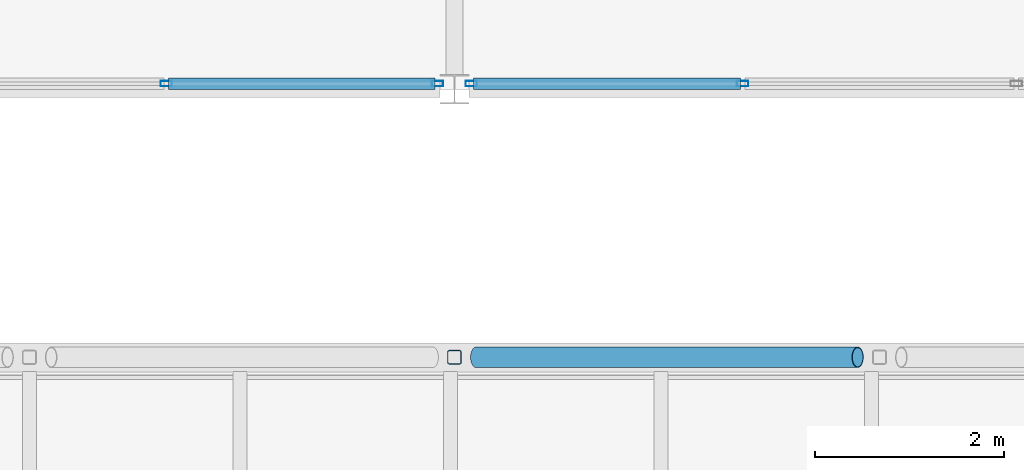
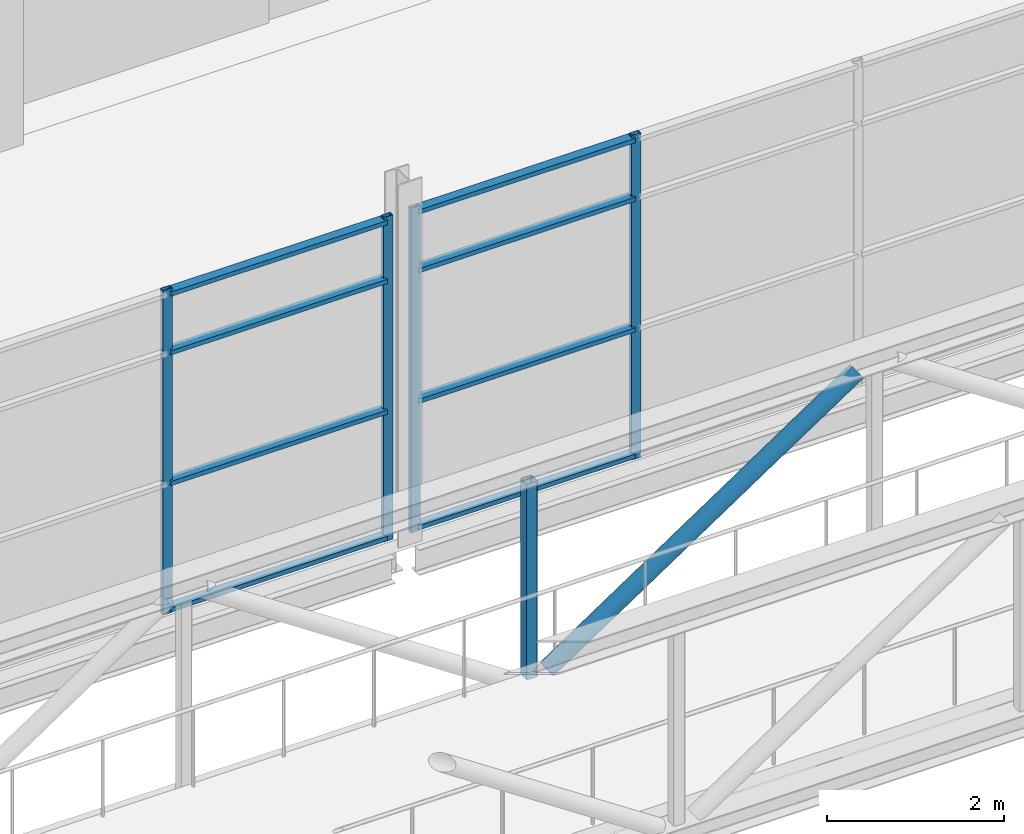
# One storey, part 45 of 94: 14 members, 2 elements without a shape of their own.
"""IFC4 building model written with IfcOpenShell, lengths in metres."""

from ifc_helpers import new_model, si_unit, direction, frame, origin, origin_2d, place, context, subcontext, project, spatial, hollow_rectangle, hollow_circle, extrude, material, layer, layer_set, material_profile, profile_set, type_object, element, aggregate, save


model = new_model("IFC4")

# Units and contexts
model_context = context("Model", 3, precision=1e-05, world=origin(), true_north=direction((0.0, 1.0)))
body_context = subcontext(model_context, "Body", "Model", "MODEL_VIEW")
ifc_project = project(units=[si_unit("LENGTHUNIT", "METRE"), si_unit("AREAUNIT", "SQUARE_METRE"), si_unit("VOLUMEUNIT", "CUBIC_METRE"), si_unit("PLANEANGLEUNIT", "RADIAN"), si_unit("MASSUNIT", "GRAM", prefix="KILO")], contexts=[model_context])

# Site, building, storey
site_placement = place(None, origin())
site = spatial("IfcSite", under=ifc_project, at=site_placement, CompositionType="ELEMENT")
building_placement = place(site_placement, origin())
building = spatial("IfcBuilding", under=site, at=building_placement, Name="Shorebreak Coast Museum", CompositionType="ELEMENT")
storey_placement = place(building_placement, frame((0.0, 0.0, 31.0)))
storey = spatial("IfcBuildingStorey", under=building, at=storey_placement, Name="L05", CompositionType="ELEMENT", Elevation=31.0)

# Members
ifc_material_1 = material(Name="Steel Grade C350L0", Category="steel")
ifc_material_profile_1 = material_profile(ifc_material_1, hollow_circle(Radius=0.109619140625, WallThickness=0.00830078125, at=origin_2d()), Name="219.1x8.2 CHS")
ifc_profile_set_1 = profile_set([ifc_material_profile_1], Name="Steel Grade C350L0")
member_type_1 = type_object("IfcMemberType", Name="Atrium bridge truss diagonal 219.1x8.2 CHS", PredefinedType="BRACE", material=ifc_profile_set_1)
member_1_placement = place(storey_placement, frame((90.23095703125, 78.16259765625, -0.175048828125), z_axis=(0.832042555046, 0.0, 0.554711804987), x_axis=(0.0, 1.0, 0.0)))
element("IfcMember", 1, at=member_1_placement, inside=storey, type_object=member_type_1, Name="Atrium bridge truss BR3 side B diagonal D07", PredefinedType="BRACE", context=body_context, shape_type="SweptSolid", body=[
    extrude(hollow_circle(Radius=0.109619140625, WallThickness=0.00830078125, at=origin_2d()), origin(), (0.0, 0.0, 1.0), 4.853271484375),
])
ifc_material_2 = material(Name="Steel Grade C450L0", Category="steel")
ifc_material_profile_2 = material_profile(ifc_material_2, hollow_rectangle(XDim=0.14990234375, YDim=0.14990234375, WallThickness=0.009033203125, InnerFilletRadius=0.013427734375, OuterFilletRadius=0.0224609375, at=origin_2d()), Name="150x150x9.0 SHS")
ifc_profile_set_2 = profile_set([ifc_material_profile_2], Name="Steel Grade C450L0")
member_type_2 = type_object("IfcMemberType", Name="Atrium bridge truss strut 150x150x9.0 SHS", PredefinedType="STRUT", material=ifc_profile_set_2)
member_2_placement = place(storey_placement, frame((90.0, 78.16259765625, -0.175048828125), z_axis=(0.0, 0.0, 1.0), x_axis=(1.0, 0.0, 0.0)))
element("IfcMember", 2, at=member_2_placement, inside=storey, type_object=member_type_2, Name="Atrium bridge truss BR3 side B strut V07", PredefinedType="STRUT", context=body_context, shape_type="SweptSolid", body=[
    extrude(hollow_rectangle(XDim=0.14990234375, YDim=0.14990234375, WallThickness=0.009033203125, InnerFilletRadius=0.013427734375, OuterFilletRadius=0.0224609375, at=origin_2d()), origin(), (0.0, 0.0, 1.0), 2.692138671875),
])

# Curtain wall, members
ifc_material_3 = material(Name="Aluminium", Category="aluminium")
ifc_layer = layer(ifc_material_3, 0.1201171875)
ifc_layer_set = layer_set([ifc_layer], Name="Aluminium")
curtain_wall_type = type_object("IfcCurtainWallType", Name="Atrium fire screen", PredefinedType="NOTDEFINED", material=ifc_layer_set)
curtain_wall_1_placement = place(storey_placement, origin())
curtain_wall_1 = element("IfcCurtainWall", 3, at=curtain_wall_1_placement, inside=storey, type_object=curtain_wall_type, Name="Atrium screen L05 N 70", PredefinedType="NOTDEFINED")
ifc_material_4 = material(Name="Aluminium", Category="aluminium")
ifc_material_profile_3 = material_profile(ifc_material_4, hollow_rectangle(XDim=0.06005859375, YDim=0.1201171875, WallThickness=0.00341796875, at=origin_2d()), Name="AL 120x60 RHS")
ifc_profile_set_3 = profile_set([ifc_material_profile_3], Name="Aluminium")
member_type_3 = type_object("IfcMemberType", Name="Screen mullion 50 x 120", PredefinedType="MULLION", material=ifc_profile_set_3)
member_3_placement = place(storey_placement, frame((86.94873046875, 81.06005859375, 0.0), z_axis=(0.0, 0.0, 1.0), x_axis=(0.0, 1.0, 0.0)))
member_3 = element("IfcMember", 4, at=member_3_placement, type_object=member_type_3, Name="CW5 mullion 3", PredefinedType="MULLION", context=body_context, shape_type="SweptSolid", body=[
    extrude(hollow_rectangle(XDim=0.06005859375, YDim=0.1201171875, WallThickness=0.00341796875, at=origin_2d()), origin(), (0.0, 0.0, 1.0), 4.469482421875),
])
member_4_placement = place(storey_placement, frame((89.821533203125, 81.06005859375, 0.0), z_axis=(0.0, 0.0, 1.0), x_axis=(0.0, 1.0, 0.0)))
member_4 = element("IfcMember", 5, at=member_4_placement, type_object=member_type_3, Name="CW5 mullion 4", PredefinedType="MULLION", context=body_context, shape_type="SweptSolid", body=[
    extrude(hollow_rectangle(XDim=0.06005859375, YDim=0.1201171875, WallThickness=0.00341796875, at=origin_2d()), origin(), (0.0, 0.0, 1.0), 4.469482421875),
])

curtain_wall_2_placement = place(storey_placement, origin())
curtain_wall_2 = element("IfcCurtainWall", 6, at=curtain_wall_2_placement, inside=storey, type_object=curtain_wall_type, Name="Atrium screen L05 N 71", PredefinedType="NOTDEFINED")
member_5_placement = place(storey_placement, frame((90.178466796875, 81.06005859375, 0.0), z_axis=(0.0, 0.0, 1.0), x_axis=(0.0, 1.0, 0.0)))
member_5 = element("IfcMember", 7, at=member_5_placement, type_object=member_type_3, Name="CW6 mullion 1", PredefinedType="MULLION", context=body_context, shape_type="SweptSolid", body=[
    extrude(hollow_rectangle(XDim=0.06005859375, YDim=0.1201171875, WallThickness=0.00341796875, at=origin_2d()), origin(), (0.0, 0.0, 1.0), 4.469482421875),
])
member_6_placement = place(storey_placement, frame((93.05126953125, 81.06005859375, 0.0), z_axis=(0.0, 0.0, 1.0), x_axis=(0.0, 1.0, 0.0)))
member_6 = element("IfcMember", 8, at=member_6_placement, type_object=member_type_3, Name="CW6 mullion 2", PredefinedType="MULLION", context=body_context, shape_type="SweptSolid", body=[
    extrude(hollow_rectangle(XDim=0.06005859375, YDim=0.1201171875, WallThickness=0.00341796875, at=origin_2d()), origin(), (0.0, 0.0, 1.0), 4.469482421875),
])

# Member
ifc_material_5 = material(Name="Aluminium", Category="aluminium")
ifc_material_profile_4 = material_profile(ifc_material_5, hollow_rectangle(XDim=0.1201171875, YDim=0.06005859375, WallThickness=0.00341796875, at=origin_2d()), Name="AL 60x120 RHS")
ifc_profile_set_4 = profile_set([ifc_material_profile_4], Name="Aluminium")
member_type_4 = type_object("IfcMemberType", Name="Screen transom 120 x 50", PredefinedType="USERDEFINED", material=ifc_profile_set_4)
member_7_placement = place(storey_placement, frame((86.973876953125, 81.06005859375, 0.06005859375), z_axis=(1.0, 0.0, 0.0), x_axis=(0.0, 1.0, 0.0)))
member_7 = element("IfcMember", 9, at=member_7_placement, type_object=member_type_4, Name="CW5 transom 3.1", ObjectType="TRANSOM", PredefinedType="USERDEFINED", context=body_context, shape_type="SweptSolid", body=[
    extrude(hollow_rectangle(XDim=0.1201171875, YDim=0.06005859375, WallThickness=0.00341796875, at=origin_2d()), origin(), (0.0, 0.0, 1.0), 2.822509765625),
])

member_8_placement = place(storey_placement, frame((86.973876953125, 81.06005859375, 1.800048828125), z_axis=(1.0, 0.0, 0.0), x_axis=(0.0, 1.0, 0.0)))
member_8 = element("IfcMember", 10, at=member_8_placement, type_object=member_type_4, Name="CW5 transom 3.2", ObjectType="TRANSOM", PredefinedType="USERDEFINED", context=body_context, shape_type="SweptSolid", body=[
    extrude(hollow_rectangle(XDim=0.1201171875, YDim=0.06005859375, WallThickness=0.00341796875, at=origin_2d()), origin(), (0.0, 0.0, 1.0), 2.822509765625),
])

member_9_placement = place(storey_placement, frame((86.973876953125, 81.06005859375, 3.60009765625), z_axis=(1.0, 0.0, 0.0), x_axis=(0.0, 1.0, 0.0)))
member_9 = element("IfcMember", 11, at=member_9_placement, type_object=member_type_4, Name="CW5 transom 3.3", ObjectType="TRANSOM", PredefinedType="USERDEFINED", context=body_context, shape_type="SweptSolid", body=[
    extrude(hollow_rectangle(XDim=0.1201171875, YDim=0.06005859375, WallThickness=0.00341796875, at=origin_2d()), origin(), (0.0, 0.0, 1.0), 2.822509765625),
])

member_10_placement = place(storey_placement, frame((86.973876953125, 81.06005859375, 4.409423828125), z_axis=(1.0, 0.0, 0.0), x_axis=(0.0, 1.0, 0.0)))
member_10 = element("IfcMember", 12, at=member_10_placement, type_object=member_type_4, Name="CW5 transom 3.4", ObjectType="TRANSOM", PredefinedType="USERDEFINED", context=body_context, shape_type="SweptSolid", body=[
    extrude(hollow_rectangle(XDim=0.1201171875, YDim=0.06005859375, WallThickness=0.00341796875, at=origin_2d()), origin(), (0.0, 0.0, 1.0), 2.822509765625),
])

aggregate(curtain_wall_1, [member_3, member_4, member_7, member_8, member_9, member_10])

member_11_placement = place(storey_placement, frame((90.20361328125, 81.06005859375, 0.06005859375), z_axis=(1.0, 0.0, 0.0), x_axis=(0.0, 1.0, 0.0)))
member_11 = element("IfcMember", 13, at=member_11_placement, type_object=member_type_4, Name="CW6 transom 1.1", ObjectType="TRANSOM", PredefinedType="USERDEFINED", context=body_context, shape_type="SweptSolid", body=[
    extrude(hollow_rectangle(XDim=0.1201171875, YDim=0.06005859375, WallThickness=0.00341796875, at=origin_2d()), origin(), (0.0, 0.0, 1.0), 2.822509765625),
])

member_12_placement = place(storey_placement, frame((90.20361328125, 81.06005859375, 1.800048828125), z_axis=(1.0, 0.0, 0.0), x_axis=(0.0, 1.0, 0.0)))
member_12 = element("IfcMember", 14, at=member_12_placement, type_object=member_type_4, Name="CW6 transom 1.2", ObjectType="TRANSOM", PredefinedType="USERDEFINED", context=body_context, shape_type="SweptSolid", body=[
    extrude(hollow_rectangle(XDim=0.1201171875, YDim=0.06005859375, WallThickness=0.00341796875, at=origin_2d()), origin(), (0.0, 0.0, 1.0), 2.822509765625),
])

member_13_placement = place(storey_placement, frame((90.20361328125, 81.06005859375, 3.60009765625), z_axis=(1.0, 0.0, 0.0), x_axis=(0.0, 1.0, 0.0)))
member_13 = element("IfcMember", 15, at=member_13_placement, type_object=member_type_4, Name="CW6 transom 1.3", ObjectType="TRANSOM", PredefinedType="USERDEFINED", context=body_context, shape_type="SweptSolid", body=[
    extrude(hollow_rectangle(XDim=0.1201171875, YDim=0.06005859375, WallThickness=0.00341796875, at=origin_2d()), origin(), (0.0, 0.0, 1.0), 2.822509765625),
])

member_14_placement = place(storey_placement, frame((90.20361328125, 81.06005859375, 4.409423828125), z_axis=(1.0, 0.0, 0.0), x_axis=(0.0, 1.0, 0.0)))
member_14 = element("IfcMember", 16, at=member_14_placement, type_object=member_type_4, Name="CW6 transom 1.4", ObjectType="TRANSOM", PredefinedType="USERDEFINED", context=body_context, shape_type="SweptSolid", body=[
    extrude(hollow_rectangle(XDim=0.1201171875, YDim=0.06005859375, WallThickness=0.00341796875, at=origin_2d()), origin(), (0.0, 0.0, 1.0), 2.822509765625),
])

aggregate(curtain_wall_2, [member_5, member_6, member_11, member_12, member_13, member_14])

save(model, "model.ifc")
